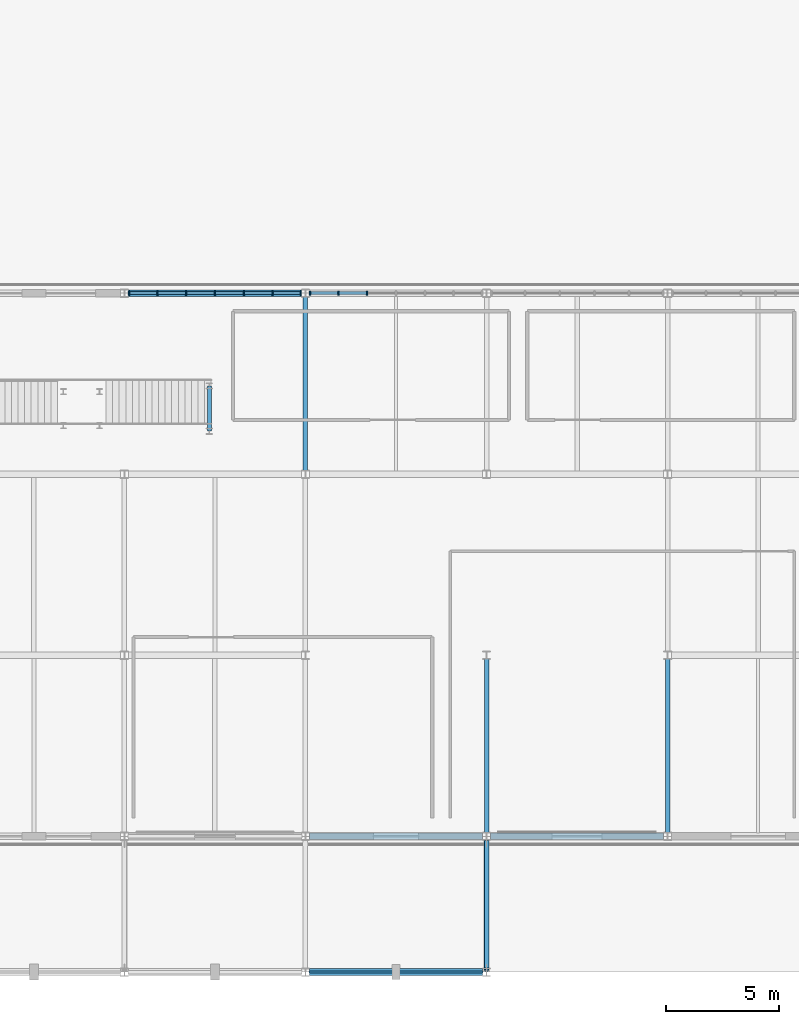
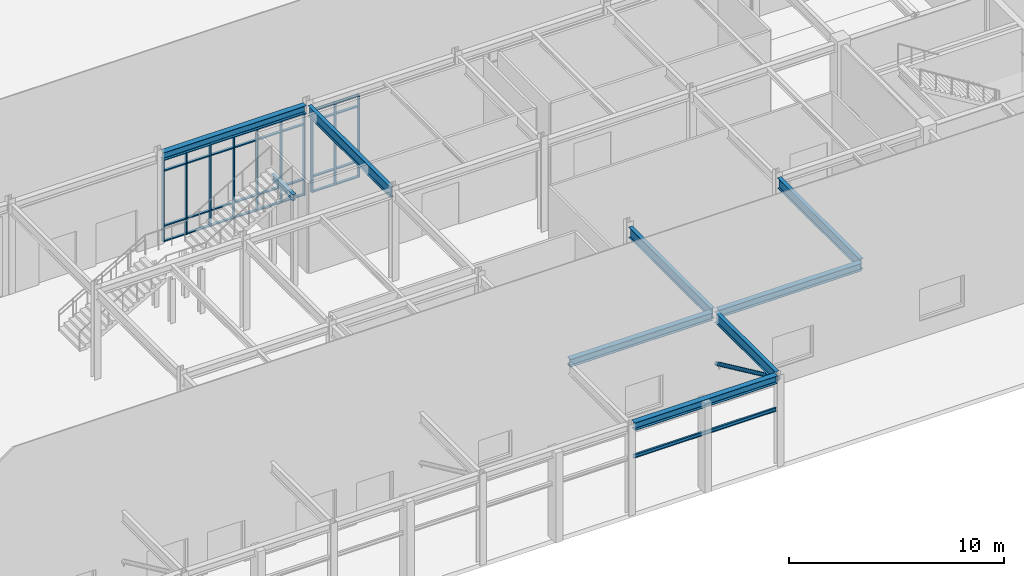
# One storey, part 31 of 119: 43 members, 10 beams, 2 elements without a shape of their own.
"""IFC4 building model written with IfcOpenShell, lengths in metres."""

from ifc_helpers import new_model, si_unit, direction, frame, origin, origin_2d, place, context, subcontext, project, spatial, rectangle, hollow_circle, i_section, extrude, material, material_profile, profile_set, type_object, element, aggregate, save


model = new_model("IFC4")

# Units and contexts
model_context = context("Model", 3, precision=1e-05, world=origin(), true_north=direction((0.0, 1.0)))
body_context = subcontext(model_context, "Body", "Model", "MODEL_VIEW")
ifc_project = project(units=[si_unit("LENGTHUNIT", "METRE"), si_unit("AREAUNIT", "SQUARE_METRE"), si_unit("VOLUMEUNIT", "CUBIC_METRE"), si_unit("PLANEANGLEUNIT", "RADIAN"), si_unit("MASSUNIT", "GRAM", prefix="KILO")], contexts=[model_context])

# Site, building, storey
site_placement = place(None, origin())
site = spatial("IfcSite", under=ifc_project, at=site_placement, CompositionType="ELEMENT")
building_placement = place(site_placement, origin())
building = spatial("IfcBuilding", under=site, at=building_placement, Name="Zhaolan Boulevard Law Courts", CompositionType="ELEMENT")
storey_placement = place(building_placement, origin())
storey = spatial("IfcBuildingStorey", under=building, at=storey_placement, Name="L00", CompositionType="ELEMENT", Elevation=0.0)

# Member
ifc_material_1 = material(Name="Structural steel Q355B", Category="steel")
ifc_material_profile_1 = material_profile(ifc_material_1, hollow_circle(Radius=0.109619140625, WallThickness=0.008056640625, at=origin_2d()), Name="CHS219x8")
ifc_profile_set_1 = profile_set([ifc_material_profile_1], Name="Structural steel Q355B")
member_type_1 = type_object("IfcMemberType", Name="BRACE CHS219", PredefinedType="BRACE", material=ifc_profile_set_1)
member_1_placement = place(storey_placement, frame((100.0, 5.820068359375, 2.199951171875), z_axis=(0.0, -0.907066548999, 0.420987263094), x_axis=(1.0, 0.0, 0.0)))
element("IfcMember", 1, at=member_1_placement, inside=storey, type_object=member_type_1, Name="Canopy Raking Brace CT-13", PredefinedType="BRACE", context=body_context, shape_type="SweptSolid", body=[
    extrude(hollow_circle(Radius=0.109619140625, WallThickness=0.008056640625, at=origin_2d()), origin(), (0.0, 0.0, 1.0), 6.361083984375),
])

# Curtain wall, members
ifc_material_2 = material(Name="Thermally broken aluminium and low-E glazing", Category="aluminium")
curtain_wall_type_1 = type_object("IfcCurtainWallType", Name="CURTAIN WALL M5", PredefinedType="USERDEFINED", material=ifc_material_2)
curtain_wall_1_placement = place(storey_placement, origin())
curtain_wall_1 = element("IfcCurtainWall", 2, at=curtain_wall_1_placement, inside=storey, type_object=curtain_wall_type_1, Name="Curtain Wall CW-L00-005", ObjectType="CURTAIN WALL", PredefinedType="USERDEFINED")
ifc_material_3 = material(Name="Fluorocarbon-coated aluminium 6063-T6", Category="aluminium")
ifc_material_profile_2 = material_profile(ifc_material_3, rectangle(XDim=0.179931640625, YDim=0.06494140625, at=origin_2d()), Name="AL65x180")
ifc_profile_set_2 = profile_set([ifc_material_profile_2], Name="Fluorocarbon-coated aluminium 6063-T6")
member_type_2 = type_object("IfcMemberType", Name="CWMULLION 65X180", PredefinedType="MULLION", material=ifc_profile_set_2)
member_2_placement = place(storey_placement, frame((91.79052734375, 30.0, 0.0), z_axis=(0.0, 0.0, 1.0), x_axis=(0.0, -1.0, 0.0)))
member_2 = element("IfcMember", 3, at=member_2_placement, type_object=member_type_2, Name="CW-L00-005 mullion 1", PredefinedType="MULLION", context=body_context, shape_type="SweptSolid", body=[
    extrude(rectangle(XDim=0.179931640625, YDim=0.06494140625, at=origin_2d()), origin(), (0.0, 0.0, 1.0), 4.68310546875),
])
member_3_placement = place(storey_placement, frame((90.548583984375, 30.0, 0.0), z_axis=(0.0, 0.0, 1.0), x_axis=(0.0, -1.0, 0.0)))
member_3 = element("IfcMember", 4, at=member_3_placement, type_object=member_type_2, Name="CW-L00-005 mullion 2", PredefinedType="MULLION", context=body_context, shape_type="SweptSolid", body=[
    extrude(rectangle(XDim=0.179931640625, YDim=0.06494140625, at=origin_2d()), origin(), (0.0, 0.0, 1.0), 4.68310546875),
])
member_4_placement = place(storey_placement, frame((89.2744140625, 30.0, 0.0), z_axis=(0.0, 0.0, 1.0), x_axis=(0.0, -1.0, 0.0)))
member_4 = element("IfcMember", 5, at=member_4_placement, type_object=member_type_2, Name="CW-L00-005 mullion 3", PredefinedType="MULLION", context=body_context, shape_type="SweptSolid", body=[
    extrude(rectangle(XDim=0.179931640625, YDim=0.06494140625, at=origin_2d()), origin(), (0.0, 0.0, 1.0), 4.68310546875),
])
member_5_placement = place(storey_placement, frame((88.0, 30.0, 0.0), z_axis=(0.0, 0.0, 1.0), x_axis=(0.0, -1.0, 0.0)))
member_5 = element("IfcMember", 6, at=member_5_placement, type_object=member_type_2, Name="CW-L00-005 mullion 4", PredefinedType="MULLION", context=body_context, shape_type="SweptSolid", body=[
    extrude(rectangle(XDim=0.179931640625, YDim=0.06494140625, at=origin_2d()), origin(), (0.0, 0.0, 1.0), 4.68310546875),
])
member_6_placement = place(storey_placement, frame((86.7255859375, 30.0, 0.0), z_axis=(0.0, 0.0, 1.0), x_axis=(0.0, -1.0, 0.0)))
member_6 = element("IfcMember", 7, at=member_6_placement, type_object=member_type_2, Name="CW-L00-005 mullion 5", PredefinedType="MULLION", context=body_context, shape_type="SweptSolid", body=[
    extrude(rectangle(XDim=0.179931640625, YDim=0.06494140625, at=origin_2d()), origin(), (0.0, 0.0, 1.0), 4.68310546875),
])
member_7_placement = place(storey_placement, frame((85.451416015625, 30.0, 0.0), z_axis=(0.0, 0.0, 1.0), x_axis=(0.0, -1.0, 0.0)))
member_7 = element("IfcMember", 8, at=member_7_placement, type_object=member_type_2, Name="CW-L00-005 mullion 6", PredefinedType="MULLION", context=body_context, shape_type="SweptSolid", body=[
    extrude(rectangle(XDim=0.179931640625, YDim=0.06494140625, at=origin_2d()), origin(), (0.0, 0.0, 1.0), 4.68310546875),
])
member_8_placement = place(storey_placement, frame((84.20947265625, 30.0, 0.0), z_axis=(0.0, 0.0, 1.0), x_axis=(0.0, -1.0, 0.0)))
member_8 = element("IfcMember", 9, at=member_8_placement, type_object=member_type_2, Name="CW-L00-005 mullion 7", PredefinedType="MULLION", context=body_context, shape_type="SweptSolid", body=[
    extrude(rectangle(XDim=0.179931640625, YDim=0.06494140625, at=origin_2d()), origin(), (0.0, 0.0, 1.0), 4.68310546875),
])

ifc_material_4 = material(Name="Thermally broken aluminium and low-E glazing", Category="aluminium")
curtain_wall_type_2 = type_object("IfcCurtainWallType", Name="CURTAIN WALL M6", PredefinedType="USERDEFINED", material=ifc_material_4)
curtain_wall_2_placement = place(storey_placement, origin())
curtain_wall_2 = element("IfcCurtainWall", 10, at=curtain_wall_2_placement, inside=storey, type_object=curtain_wall_type_2, Name="Curtain Wall CW-L00-006", ObjectType="CURTAIN WALL", PredefinedType="USERDEFINED")
member_9_placement = place(storey_placement, frame((94.7255859375, 30.0, 0.0), z_axis=(0.0, 0.0, 1.0), x_axis=(0.0, -1.0, 0.0)))
member_9 = element("IfcMember", 11, at=member_9_placement, type_object=member_type_2, Name="CW-L00-006 mullion 5", PredefinedType="MULLION", context=body_context, shape_type="SweptSolid", body=[
    extrude(rectangle(XDim=0.179931640625, YDim=0.06494140625, at=origin_2d()), origin(), (0.0, 0.0, 1.0), 4.68310546875),
])
member_10_placement = place(storey_placement, frame((93.451416015625, 30.0, 0.0), z_axis=(0.0, 0.0, 1.0), x_axis=(0.0, -1.0, 0.0)))
member_10 = element("IfcMember", 12, at=member_10_placement, type_object=member_type_2, Name="CW-L00-006 mullion 6", PredefinedType="MULLION", context=body_context, shape_type="SweptSolid", body=[
    extrude(rectangle(XDim=0.179931640625, YDim=0.06494140625, at=origin_2d()), origin(), (0.0, 0.0, 1.0), 4.68310546875),
])
member_11_placement = place(storey_placement, frame((92.20947265625, 30.0, 0.0), z_axis=(0.0, 0.0, 1.0), x_axis=(0.0, -1.0, 0.0)))
member_11 = element("IfcMember", 13, at=member_11_placement, type_object=member_type_2, Name="CW-L00-006 mullion 7", PredefinedType="MULLION", context=body_context, shape_type="SweptSolid", body=[
    extrude(rectangle(XDim=0.179931640625, YDim=0.06494140625, at=origin_2d()), origin(), (0.0, 0.0, 1.0), 4.68310546875),
])

# Member
ifc_material_5 = material(Name="Fluorocarbon-coated aluminium 6063-T6", Category="aluminium")
ifc_material_profile_3 = material_profile(ifc_material_5, rectangle(XDim=0.139892578125, YDim=0.06494140625, at=origin_2d()), Name="AL65x140")
ifc_profile_set_3 = profile_set([ifc_material_profile_3], Name="Fluorocarbon-coated aluminium 6063-T6")
member_type_3 = type_object("IfcMemberType", Name="CWTRANSOM 65X140", PredefinedType="USERDEFINED", material=ifc_profile_set_3)
member_12_placement = place(storey_placement, frame((91.758056640625, 30.0, 0.032470703125), z_axis=(-1.0, 0.0, 0.0), x_axis=(0.0, -1.0, 0.0)))
member_12 = element("IfcMember", 14, at=member_12_placement, type_object=member_type_3, Name="CW-L00-005 transom 1.1", ObjectType="TRANSOM", PredefinedType="USERDEFINED", context=body_context, shape_type="SweptSolid", body=[
    extrude(rectangle(XDim=0.139892578125, YDim=0.06494140625, at=origin_2d()), origin(), (0.0, 0.0, 1.0), 1.177001953125),
])

member_13_placement = place(storey_placement, frame((91.758056640625, 30.0, 0.89990234375), z_axis=(-1.0, 0.0, 0.0), x_axis=(0.0, -1.0, 0.0)))
member_13 = element("IfcMember", 15, at=member_13_placement, type_object=member_type_3, Name="CW-L00-005 transom 1.2", ObjectType="TRANSOM", PredefinedType="USERDEFINED", context=body_context, shape_type="SweptSolid", body=[
    extrude(rectangle(XDim=0.139892578125, YDim=0.06494140625, at=origin_2d()), origin(), (0.0, 0.0, 1.0), 1.177001953125),
])

member_14_placement = place(storey_placement, frame((91.758056640625, 30.0, 4.032958984375), z_axis=(-1.0, 0.0, 0.0), x_axis=(0.0, -1.0, 0.0)))
member_14 = element("IfcMember", 16, at=member_14_placement, type_object=member_type_3, Name="CW-L00-005 transom 1.3", ObjectType="TRANSOM", PredefinedType="USERDEFINED", context=body_context, shape_type="SweptSolid", body=[
    extrude(rectangle(XDim=0.139892578125, YDim=0.06494140625, at=origin_2d()), origin(), (0.0, 0.0, 1.0), 1.177001953125),
])

member_15_placement = place(storey_placement, frame((91.758056640625, 30.0, 4.650390625), z_axis=(-1.0, 0.0, 0.0), x_axis=(0.0, -1.0, 0.0)))
member_15 = element("IfcMember", 17, at=member_15_placement, type_object=member_type_3, Name="CW-L00-005 transom 1.4", ObjectType="TRANSOM", PredefinedType="USERDEFINED", context=body_context, shape_type="SweptSolid", body=[
    extrude(rectangle(XDim=0.139892578125, YDim=0.06494140625, at=origin_2d()), origin(), (0.0, 0.0, 1.0), 1.177001953125),
])

member_16_placement = place(storey_placement, frame((90.51611328125, 30.0, 0.032470703125), z_axis=(-1.0, 0.0, 0.0), x_axis=(0.0, -1.0, 0.0)))
member_16 = element("IfcMember", 18, at=member_16_placement, type_object=member_type_3, Name="CW-L00-005 transom 2.1", ObjectType="TRANSOM", PredefinedType="USERDEFINED", context=body_context, shape_type="SweptSolid", body=[
    extrude(rectangle(XDim=0.139892578125, YDim=0.06494140625, at=origin_2d()), origin(), (0.0, 0.0, 1.0), 1.209228515625),
])

member_17_placement = place(storey_placement, frame((90.51611328125, 30.0, 0.89990234375), z_axis=(-1.0, 0.0, 0.0), x_axis=(0.0, -1.0, 0.0)))
member_17 = element("IfcMember", 19, at=member_17_placement, type_object=member_type_3, Name="CW-L00-005 transom 2.2", ObjectType="TRANSOM", PredefinedType="USERDEFINED", context=body_context, shape_type="SweptSolid", body=[
    extrude(rectangle(XDim=0.139892578125, YDim=0.06494140625, at=origin_2d()), origin(), (0.0, 0.0, 1.0), 1.209228515625),
])

member_18_placement = place(storey_placement, frame((90.51611328125, 30.0, 4.032958984375), z_axis=(-1.0, 0.0, 0.0), x_axis=(0.0, -1.0, 0.0)))
member_18 = element("IfcMember", 20, at=member_18_placement, type_object=member_type_3, Name="CW-L00-005 transom 2.3", ObjectType="TRANSOM", PredefinedType="USERDEFINED", context=body_context, shape_type="SweptSolid", body=[
    extrude(rectangle(XDim=0.139892578125, YDim=0.06494140625, at=origin_2d()), origin(), (0.0, 0.0, 1.0), 1.209228515625),
])

member_19_placement = place(storey_placement, frame((90.51611328125, 30.0, 4.650390625), z_axis=(-1.0, 0.0, 0.0), x_axis=(0.0, -1.0, 0.0)))
member_19 = element("IfcMember", 21, at=member_19_placement, type_object=member_type_3, Name="CW-L00-005 transom 2.4", ObjectType="TRANSOM", PredefinedType="USERDEFINED", context=body_context, shape_type="SweptSolid", body=[
    extrude(rectangle(XDim=0.139892578125, YDim=0.06494140625, at=origin_2d()), origin(), (0.0, 0.0, 1.0), 1.209228515625),
])

member_20_placement = place(storey_placement, frame((89.241943359375, 30.0, 0.032470703125), z_axis=(-1.0, 0.0, 0.0), x_axis=(0.0, -1.0, 0.0)))
member_20 = element("IfcMember", 22, at=member_20_placement, type_object=member_type_3, Name="CW-L00-005 transom 3.1", ObjectType="TRANSOM", PredefinedType="USERDEFINED", context=body_context, shape_type="SweptSolid", body=[
    extrude(rectangle(XDim=0.139892578125, YDim=0.06494140625, at=origin_2d()), origin(), (0.0, 0.0, 1.0), 1.20947265625),
])

member_21_placement = place(storey_placement, frame((89.241943359375, 30.0, 0.89990234375), z_axis=(-1.0, 0.0, 0.0), x_axis=(0.0, -1.0, 0.0)))
member_21 = element("IfcMember", 23, at=member_21_placement, type_object=member_type_3, Name="CW-L00-005 transom 3.2", ObjectType="TRANSOM", PredefinedType="USERDEFINED", context=body_context, shape_type="SweptSolid", body=[
    extrude(rectangle(XDim=0.139892578125, YDim=0.06494140625, at=origin_2d()), origin(), (0.0, 0.0, 1.0), 1.20947265625),
])

member_22_placement = place(storey_placement, frame((89.241943359375, 30.0, 4.032958984375), z_axis=(-1.0, 0.0, 0.0), x_axis=(0.0, -1.0, 0.0)))
member_22 = element("IfcMember", 24, at=member_22_placement, type_object=member_type_3, Name="CW-L00-005 transom 3.3", ObjectType="TRANSOM", PredefinedType="USERDEFINED", context=body_context, shape_type="SweptSolid", body=[
    extrude(rectangle(XDim=0.139892578125, YDim=0.06494140625, at=origin_2d()), origin(), (0.0, 0.0, 1.0), 1.20947265625),
])

member_23_placement = place(storey_placement, frame((89.241943359375, 30.0, 4.650390625), z_axis=(-1.0, 0.0, 0.0), x_axis=(0.0, -1.0, 0.0)))
member_23 = element("IfcMember", 25, at=member_23_placement, type_object=member_type_3, Name="CW-L00-005 transom 3.4", ObjectType="TRANSOM", PredefinedType="USERDEFINED", context=body_context, shape_type="SweptSolid", body=[
    extrude(rectangle(XDim=0.139892578125, YDim=0.06494140625, at=origin_2d()), origin(), (0.0, 0.0, 1.0), 1.20947265625),
])

member_24_placement = place(storey_placement, frame((87.967529296875, 30.0, 0.032470703125), z_axis=(-1.0, 0.0, 0.0), x_axis=(0.0, -1.0, 0.0)))
member_24 = element("IfcMember", 26, at=member_24_placement, type_object=member_type_3, Name="CW-L00-005 transom 4.1", ObjectType="TRANSOM", PredefinedType="USERDEFINED", context=body_context, shape_type="SweptSolid", body=[
    extrude(rectangle(XDim=0.139892578125, YDim=0.06494140625, at=origin_2d()), origin(), (0.0, 0.0, 1.0), 1.20947265625),
])

member_25_placement = place(storey_placement, frame((87.967529296875, 30.0, 0.89990234375), z_axis=(-1.0, 0.0, 0.0), x_axis=(0.0, -1.0, 0.0)))
member_25 = element("IfcMember", 27, at=member_25_placement, type_object=member_type_3, Name="CW-L00-005 transom 4.2", ObjectType="TRANSOM", PredefinedType="USERDEFINED", context=body_context, shape_type="SweptSolid", body=[
    extrude(rectangle(XDim=0.139892578125, YDim=0.06494140625, at=origin_2d()), origin(), (0.0, 0.0, 1.0), 1.20947265625),
])

member_26_placement = place(storey_placement, frame((87.967529296875, 30.0, 4.032958984375), z_axis=(-1.0, 0.0, 0.0), x_axis=(0.0, -1.0, 0.0)))
member_26 = element("IfcMember", 28, at=member_26_placement, type_object=member_type_3, Name="CW-L00-005 transom 4.3", ObjectType="TRANSOM", PredefinedType="USERDEFINED", context=body_context, shape_type="SweptSolid", body=[
    extrude(rectangle(XDim=0.139892578125, YDim=0.06494140625, at=origin_2d()), origin(), (0.0, 0.0, 1.0), 1.20947265625),
])

member_27_placement = place(storey_placement, frame((87.967529296875, 30.0, 4.650390625), z_axis=(-1.0, 0.0, 0.0), x_axis=(0.0, -1.0, 0.0)))
member_27 = element("IfcMember", 29, at=member_27_placement, type_object=member_type_3, Name="CW-L00-005 transom 4.4", ObjectType="TRANSOM", PredefinedType="USERDEFINED", context=body_context, shape_type="SweptSolid", body=[
    extrude(rectangle(XDim=0.139892578125, YDim=0.06494140625, at=origin_2d()), origin(), (0.0, 0.0, 1.0), 1.20947265625),
])

member_28_placement = place(storey_placement, frame((86.693115234375, 30.0, 0.032470703125), z_axis=(-1.0, 0.0, 0.0), x_axis=(0.0, -1.0, 0.0)))
member_28 = element("IfcMember", 30, at=member_28_placement, type_object=member_type_3, Name="CW-L00-005 transom 5.1", ObjectType="TRANSOM", PredefinedType="USERDEFINED", context=body_context, shape_type="SweptSolid", body=[
    extrude(rectangle(XDim=0.139892578125, YDim=0.06494140625, at=origin_2d()), origin(), (0.0, 0.0, 1.0), 1.209228515625),
])

member_29_placement = place(storey_placement, frame((86.693115234375, 30.0, 0.89990234375), z_axis=(-1.0, 0.0, 0.0), x_axis=(0.0, -1.0, 0.0)))
member_29 = element("IfcMember", 31, at=member_29_placement, type_object=member_type_3, Name="CW-L00-005 transom 5.2", ObjectType="TRANSOM", PredefinedType="USERDEFINED", context=body_context, shape_type="SweptSolid", body=[
    extrude(rectangle(XDim=0.139892578125, YDim=0.06494140625, at=origin_2d()), origin(), (0.0, 0.0, 1.0), 1.209228515625),
])

member_30_placement = place(storey_placement, frame((86.693115234375, 30.0, 4.032958984375), z_axis=(-1.0, 0.0, 0.0), x_axis=(0.0, -1.0, 0.0)))
member_30 = element("IfcMember", 32, at=member_30_placement, type_object=member_type_3, Name="CW-L00-005 transom 5.3", ObjectType="TRANSOM", PredefinedType="USERDEFINED", context=body_context, shape_type="SweptSolid", body=[
    extrude(rectangle(XDim=0.139892578125, YDim=0.06494140625, at=origin_2d()), origin(), (0.0, 0.0, 1.0), 1.209228515625),
])

member_31_placement = place(storey_placement, frame((86.693115234375, 30.0, 4.650390625), z_axis=(-1.0, 0.0, 0.0), x_axis=(0.0, -1.0, 0.0)))
member_31 = element("IfcMember", 33, at=member_31_placement, type_object=member_type_3, Name="CW-L00-005 transom 5.4", ObjectType="TRANSOM", PredefinedType="USERDEFINED", context=body_context, shape_type="SweptSolid", body=[
    extrude(rectangle(XDim=0.139892578125, YDim=0.06494140625, at=origin_2d()), origin(), (0.0, 0.0, 1.0), 1.209228515625),
])

member_32_placement = place(storey_placement, frame((85.4189453125, 30.0, 0.032470703125), z_axis=(-1.0, 0.0, 0.0), x_axis=(0.0, -1.0, 0.0)))
member_32 = element("IfcMember", 34, at=member_32_placement, type_object=member_type_3, Name="CW-L00-005 transom 6.1", ObjectType="TRANSOM", PredefinedType="USERDEFINED", context=body_context, shape_type="SweptSolid", body=[
    extrude(rectangle(XDim=0.139892578125, YDim=0.06494140625, at=origin_2d()), origin(), (0.0, 0.0, 1.0), 1.177001953125),
])

member_33_placement = place(storey_placement, frame((85.4189453125, 30.0, 0.89990234375), z_axis=(-1.0, 0.0, 0.0), x_axis=(0.0, -1.0, 0.0)))
member_33 = element("IfcMember", 35, at=member_33_placement, type_object=member_type_3, Name="CW-L00-005 transom 6.2", ObjectType="TRANSOM", PredefinedType="USERDEFINED", context=body_context, shape_type="SweptSolid", body=[
    extrude(rectangle(XDim=0.139892578125, YDim=0.06494140625, at=origin_2d()), origin(), (0.0, 0.0, 1.0), 1.177001953125),
])

member_34_placement = place(storey_placement, frame((85.4189453125, 30.0, 4.032958984375), z_axis=(-1.0, 0.0, 0.0), x_axis=(0.0, -1.0, 0.0)))
member_34 = element("IfcMember", 36, at=member_34_placement, type_object=member_type_3, Name="CW-L00-005 transom 6.3", ObjectType="TRANSOM", PredefinedType="USERDEFINED", context=body_context, shape_type="SweptSolid", body=[
    extrude(rectangle(XDim=0.139892578125, YDim=0.06494140625, at=origin_2d()), origin(), (0.0, 0.0, 1.0), 1.177001953125),
])

member_35_placement = place(storey_placement, frame((85.4189453125, 30.0, 4.650390625), z_axis=(-1.0, 0.0, 0.0), x_axis=(0.0, -1.0, 0.0)))
member_35 = element("IfcMember", 37, at=member_35_placement, type_object=member_type_3, Name="CW-L00-005 transom 6.4", ObjectType="TRANSOM", PredefinedType="USERDEFINED", context=body_context, shape_type="SweptSolid", body=[
    extrude(rectangle(XDim=0.139892578125, YDim=0.06494140625, at=origin_2d()), origin(), (0.0, 0.0, 1.0), 1.177001953125),
])

aggregate(curtain_wall_1, [member_2, member_3, member_4, member_5, member_6, member_7, member_8, member_12, member_13, member_14, member_15, member_16, member_17, member_18, member_19, member_20, member_21, member_22, member_23, member_24, member_25, member_26, member_27, member_28, member_29, member_30, member_31, member_32, member_33, member_34, member_35])

member_36_placement = place(storey_placement, frame((94.693115234375, 30.0, 0.032470703125), z_axis=(-1.0, 0.0, 0.0), x_axis=(0.0, -1.0, 0.0)))
member_36 = element("IfcMember", 38, at=member_36_placement, type_object=member_type_3, Name="CW-L00-006 transom 5.1", ObjectType="TRANSOM", PredefinedType="USERDEFINED", context=body_context, shape_type="SweptSolid", body=[
    extrude(rectangle(XDim=0.139892578125, YDim=0.06494140625, at=origin_2d()), origin(), (0.0, 0.0, 1.0), 1.209228515625),
])

member_37_placement = place(storey_placement, frame((94.693115234375, 30.0, 0.89990234375), z_axis=(-1.0, 0.0, 0.0), x_axis=(0.0, -1.0, 0.0)))
member_37 = element("IfcMember", 39, at=member_37_placement, type_object=member_type_3, Name="CW-L00-006 transom 5.2", ObjectType="TRANSOM", PredefinedType="USERDEFINED", context=body_context, shape_type="SweptSolid", body=[
    extrude(rectangle(XDim=0.139892578125, YDim=0.06494140625, at=origin_2d()), origin(), (0.0, 0.0, 1.0), 1.209228515625),
])

member_38_placement = place(storey_placement, frame((94.693115234375, 30.0, 4.032958984375), z_axis=(-1.0, 0.0, 0.0), x_axis=(0.0, -1.0, 0.0)))
member_38 = element("IfcMember", 40, at=member_38_placement, type_object=member_type_3, Name="CW-L00-006 transom 5.3", ObjectType="TRANSOM", PredefinedType="USERDEFINED", context=body_context, shape_type="SweptSolid", body=[
    extrude(rectangle(XDim=0.139892578125, YDim=0.06494140625, at=origin_2d()), origin(), (0.0, 0.0, 1.0), 1.209228515625),
])

member_39_placement = place(storey_placement, frame((94.693115234375, 30.0, 4.650390625), z_axis=(-1.0, 0.0, 0.0), x_axis=(0.0, -1.0, 0.0)))
member_39 = element("IfcMember", 41, at=member_39_placement, type_object=member_type_3, Name="CW-L00-006 transom 5.4", ObjectType="TRANSOM", PredefinedType="USERDEFINED", context=body_context, shape_type="SweptSolid", body=[
    extrude(rectangle(XDim=0.139892578125, YDim=0.06494140625, at=origin_2d()), origin(), (0.0, 0.0, 1.0), 1.209228515625),
])

member_40_placement = place(storey_placement, frame((93.4189453125, 30.0, 0.032470703125), z_axis=(-1.0, 0.0, 0.0), x_axis=(0.0, -1.0, 0.0)))
member_40 = element("IfcMember", 42, at=member_40_placement, type_object=member_type_3, Name="CW-L00-006 transom 6.1", ObjectType="TRANSOM", PredefinedType="USERDEFINED", context=body_context, shape_type="SweptSolid", body=[
    extrude(rectangle(XDim=0.139892578125, YDim=0.06494140625, at=origin_2d()), origin(), (0.0, 0.0, 1.0), 1.177001953125),
])

member_41_placement = place(storey_placement, frame((93.4189453125, 30.0, 0.89990234375), z_axis=(-1.0, 0.0, 0.0), x_axis=(0.0, -1.0, 0.0)))
member_41 = element("IfcMember", 43, at=member_41_placement, type_object=member_type_3, Name="CW-L00-006 transom 6.2", ObjectType="TRANSOM", PredefinedType="USERDEFINED", context=body_context, shape_type="SweptSolid", body=[
    extrude(rectangle(XDim=0.139892578125, YDim=0.06494140625, at=origin_2d()), origin(), (0.0, 0.0, 1.0), 1.177001953125),
])

member_42_placement = place(storey_placement, frame((93.4189453125, 30.0, 4.032958984375), z_axis=(-1.0, 0.0, 0.0), x_axis=(0.0, -1.0, 0.0)))
member_42 = element("IfcMember", 44, at=member_42_placement, type_object=member_type_3, Name="CW-L00-006 transom 6.3", ObjectType="TRANSOM", PredefinedType="USERDEFINED", context=body_context, shape_type="SweptSolid", body=[
    extrude(rectangle(XDim=0.139892578125, YDim=0.06494140625, at=origin_2d()), origin(), (0.0, 0.0, 1.0), 1.177001953125),
])

member_43_placement = place(storey_placement, frame((93.4189453125, 30.0, 4.650390625), z_axis=(-1.0, 0.0, 0.0), x_axis=(0.0, -1.0, 0.0)))
member_43 = element("IfcMember", 45, at=member_43_placement, type_object=member_type_3, Name="CW-L00-006 transom 6.4", ObjectType="TRANSOM", PredefinedType="USERDEFINED", context=body_context, shape_type="SweptSolid", body=[
    extrude(rectangle(XDim=0.139892578125, YDim=0.06494140625, at=origin_2d()), origin(), (0.0, 0.0, 1.0), 1.177001953125),
])

aggregate(curtain_wall_2, [member_9, member_10, member_11, member_36, member_37, member_38, member_39, member_40, member_41, member_42, member_43])

# Beams
ifc_material_6 = material(Name="Structural steel Q390B", Category="steel")
ifc_material_profile_4 = material_profile(ifc_material_6, i_section(OverallWidth=0.199951171875, OverallDepth=0.60009765625, WebThickness=0.010986328125, FlangeThickness=0.01708984375, FilletRadius=0.02001953125, at=origin_2d()), Name="HN600x200")
ifc_profile_set_4 = profile_set([ifc_material_profile_4], Name="Structural steel Q390B")
beam_type_1 = type_object("IfcBeamType", Name="CANTILEVER HN600", PredefinedType="BEAM", material=ifc_profile_set_4)
beam_1_placement = place(storey_placement, frame((100.0, 0.179931640625, 4.8779296875), z_axis=(0.0, 1.0, 0.0), x_axis=(-1.0, 0.0, 0.0)))
element("IfcBeam", 46, at=beam_1_placement, inside=storey, type_object=beam_type_1, Name="Canopy Girder CB-13", PredefinedType="BEAM", context=body_context, shape_type="SweptSolid", body=[
    extrude(i_section(OverallWidth=0.199951171875, OverallDepth=0.60009765625, WebThickness=0.010986328125, FlangeThickness=0.01708984375, FilletRadius=0.02001953125, at=origin_2d()), origin(), (0.0, 0.0, 1.0), 5.64013671875),
])
ifc_material_7 = material(Name="Structural steel Q355B", Category="steel")
ifc_material_profile_5 = material_profile(ifc_material_7, i_section(OverallWidth=0.300048828125, OverallDepth=0.43994140625, WebThickness=0.010986328125, FlangeThickness=0.01806640625, FilletRadius=0.02001953125, at=origin_2d()), Name="HM440x300")
ifc_profile_set_5 = profile_set([ifc_material_profile_5], Name="Structural steel Q355B")
beam_type_2 = type_object("IfcBeamType", Name="GIRDER HM440", PredefinedType="BEAM", material=ifc_profile_set_5)
for number, where, z_axis, x_axis, name in (
    (47, (92.1708984375, 0.0, 4.9580078125), (1.0, 0.0, 0.0), (0.0, 1.0, 0.0), "Beam BX-L01-12-13-A"),
    (48, (92.1708984375, 6.0, 4.91796875), (1.0, 0.0, 0.0), (0.0, 1.0, 0.0), "Beam BX-L01-12-13-B"),
    (49, (100.1708984375, 6.0, 4.91796875), (1.0, 0.0, 0.0), (0.0, 1.0, 0.0), "Beam BX-L01-13-14-B"),
    (50, (84.1708984375, 30.0, 4.91796875), (1.0, 0.0, 0.0), (0.0, 1.0, 0.0), "Beam BX-L01-11-12-E"),
):
    element("IfcBeam", number, at=place(storey_placement, frame(where, z_axis=z_axis, x_axis=x_axis)), inside=storey, type_object=beam_type_2, Name=name, PredefinedType="BEAM", context=body_context, shape_type="SweptSolid", body=[
        extrude(i_section(OverallWidth=0.300048828125, OverallDepth=0.43994140625, WebThickness=0.010986328125, FlangeThickness=0.01806640625, FilletRadius=0.02001953125, at=origin_2d()), origin(), (0.0, 0.0, 1.0), 7.658203125),
    ])
ifc_material_8 = material(Name="Structural steel Q355B", Category="steel")
ifc_material_profile_6 = material_profile(ifc_material_8, i_section(OverallWidth=0.199951171875, OverallDepth=0.60009765625, WebThickness=0.010986328125, FlangeThickness=0.01708984375, FilletRadius=0.02001953125, at=origin_2d()), Name="HN600x200")
ifc_profile_set_6 = profile_set([ifc_material_profile_6], Name="Structural steel Q355B")
beam_type_3 = type_object("IfcBeamType", Name="GIRDER HN600", PredefinedType="BEAM", material=ifc_profile_set_6)
for number, where, z_axis, x_axis, name in (
    (51, (92.0, 22.1708984375, 4.837890625), (0.0, 1.0, 0.0), (-1.0, 0.0, 0.0), "Beam BY-L01-12-D-E"),
    (52, (100.0, 6.1708984375, 4.837890625), (0.0, 1.0, 0.0), (-1.0, 0.0, 0.0), "Beam BY-L01-13-B-C"),
    (53, (108.0, 6.1708984375, 4.837890625), (0.0, 1.0, 0.0), (-1.0, 0.0, 0.0), "Beam BY-L01-14-B-C"),
):
    element("IfcBeam", number, at=place(storey_placement, frame(where, z_axis=z_axis, x_axis=x_axis)), inside=storey, type_object=beam_type_3, Name=name, PredefinedType="BEAM", context=body_context, shape_type="SweptSolid", body=[
        extrude(i_section(OverallWidth=0.199951171875, OverallDepth=0.60009765625, WebThickness=0.010986328125, FlangeThickness=0.01708984375, FilletRadius=0.02001953125, at=origin_2d()), origin(), (0.0, 0.0, 1.0), 7.658203125),
    ])
ifc_material_9 = material(Name="Structural steel Q355B", Category="steel")
ifc_material_profile_7 = material_profile(ifc_material_9, i_section(OverallWidth=0.10009765625, OverallDepth=0.199951171875, WebThickness=0.005615234375, FlangeThickness=0.008056640625, FilletRadius=0.009033203125, at=origin_2d()), Name="HN200x100")
ifc_profile_set_7 = profile_set([ifc_material_profile_7], Name="Structural steel Q355B")
beam_type_4 = type_object("IfcBeamType", Name="LINTEL HN200", PredefinedType="LINTEL", material=ifc_profile_set_7)
beam_2_placement = place(storey_placement, frame((92.159912109375, 0.0, 3.199951171875), z_axis=(1.0, 0.0, 0.0), x_axis=(0.0, 1.0, 0.0)))
element("IfcBeam", 54, at=beam_2_placement, inside=storey, type_object=beam_type_4, Name="Portal Lintel LN-L00-07", PredefinedType="LINTEL", context=body_context, shape_type="SweptSolid", body=[
    extrude(i_section(OverallWidth=0.10009765625, OverallDepth=0.199951171875, WebThickness=0.005615234375, FlangeThickness=0.008056640625, FilletRadius=0.009033203125, at=origin_2d()), origin(), (0.0, 0.0, 1.0), 7.68017578125),
])
ifc_material_10 = material(Name="Structural steel Q355B", Category="steel")
ifc_material_profile_8 = material_profile(ifc_material_10, i_section(OverallWidth=0.175048828125, OverallDepth=0.35009765625, WebThickness=0.007080078125, FlangeThickness=0.010986328125, FilletRadius=0.012939453125, at=origin_2d()), Name="HN350x175")
ifc_profile_set_8 = profile_set([ifc_material_profile_8], Name="Structural steel Q355B")
beam_type_5 = type_object("IfcBeamType", Name="STAIR TRIMMER HN350", PredefinedType="BEAM", material=ifc_profile_set_8)
beam_3_placement = place(storey_placement, frame((87.75, 23.89990234375, 4.9599609375), z_axis=(0.0, 1.0, 0.0), x_axis=(-1.0, 0.0, 0.0)))
element("IfcBeam", 55, at=beam_3_placement, inside=storey, type_object=beam_type_5, Name="Grand Stair Arrival Trimmer Beam STB-ST06", PredefinedType="BEAM", context=body_context, shape_type="SweptSolid", body=[
    extrude(i_section(OverallWidth=0.175048828125, OverallDepth=0.35009765625, WebThickness=0.007080078125, FlangeThickness=0.010986328125, FilletRadius=0.012939453125, at=origin_2d()), origin(), (0.0, 0.0, 1.0), 2.0),
])

save(model, "model.ifc")
